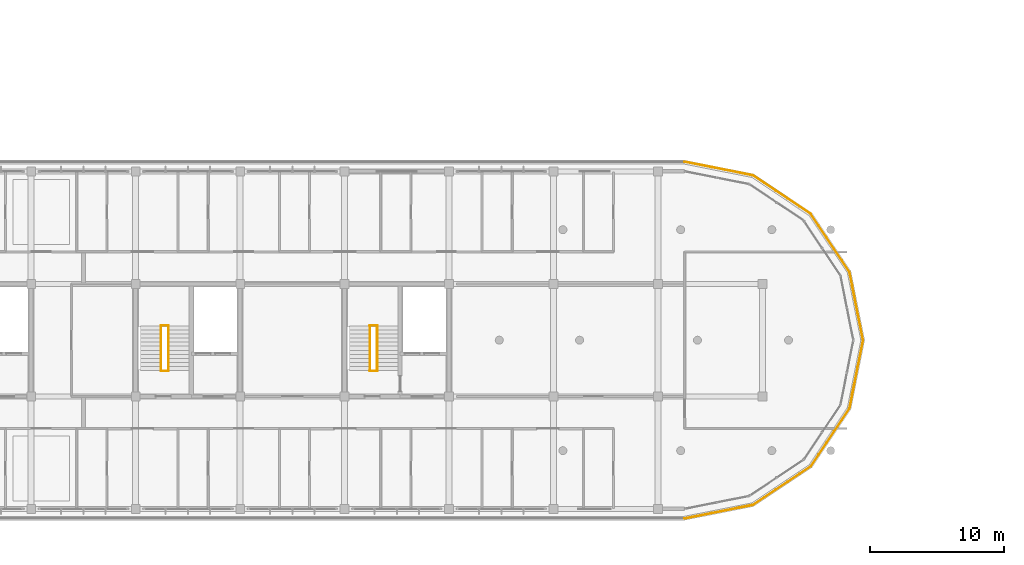
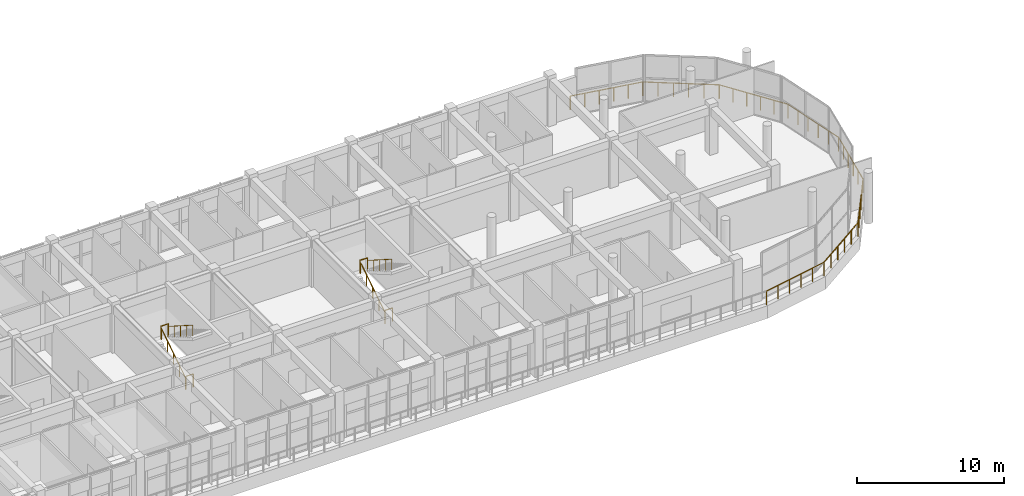
# One storey, part 61 of 63: 16 railings.
"""IFC4 building model written with IfcOpenShell, lengths in metres."""

from ifc_helpers import new_model, si_unit, direction, frame, origin, origin_2d, place, context, subcontext, project, spatial, hollow_rectangle, circle, hollow_circle, extrude, material, material_profile, profile_set, type_object, element, save


model = new_model("IFC4")

# Units and contexts
model_context = context("Model", 3, precision=1e-05, world=origin(), true_north=direction((0.0, 1.0)))
body_context = subcontext(model_context, "Body", "Model", "MODEL_VIEW")
ifc_project = project(units=[si_unit("LENGTHUNIT", "METRE"), si_unit("AREAUNIT", "SQUARE_METRE"), si_unit("VOLUMEUNIT", "CUBIC_METRE"), si_unit("PLANEANGLEUNIT", "RADIAN"), si_unit("MASSUNIT", "GRAM", prefix="KILO")], contexts=[model_context])

# Site, building, storey
site_placement = place(None, origin())
site = spatial("IfcSite", under=ifc_project, at=site_placement, CompositionType="ELEMENT")
building_placement = place(site_placement, origin())
building = spatial("IfcBuilding", under=site, at=building_placement, Name="Zizhar Promenade General Hospital", CompositionType="ELEMENT")
storey_placement = place(building_placement, frame((0.0, 0.0, 18.0)))
storey = spatial("IfcBuildingStorey", under=building, at=storey_placement, Name="L04", CompositionType="ELEMENT", Elevation=18.0)

# Railings
ifc_material_1 = material(Name="Steel S355", Category="steel")
ifc_material_profile_1 = material_profile(ifc_material_1, hollow_rectangle(XDim=0.06005859375, YDim=0.1201171875, WallThickness=0.00390625, at=origin_2d()))
ifc_profile_set_1 = profile_set([ifc_material_profile_1], Name="Steel S355")
railing_type_1 = type_object("IfcRailingType", Name="RL-GUARD-EXT-1150", PredefinedType="GUARDRAIL", material=ifc_profile_set_1)
railing_1_placement = place(storey_placement, frame((119.0, -0.719970703125, 0.0)))
element("IfcRailing", 1, at=railing_1_placement, inside=storey, type_object=railing_type_1, Name="Perimeter Safety Guardrail L04-01", PredefinedType="GUARDRAIL", context=body_context, shape_type="SweptSolid", body=[
    extrude(circle(Radius=0.02392578125, at=origin_2d()), frame((0.0, 0.0, 1.1259765625), z_axis=(0.980786101187, 0.195086195614, 0.0), x_axis=(-0.195086195614, 0.980786101187, 0.0)), (0.0, 0.0, 1.0), 5.197265625),
    extrude(circle(Radius=0.02099609375, at=origin_2d()), origin(), (0.0, 0.0, 1.0), 1.101806640625),
    extrude(circle(Radius=0.02099609375, at=origin_2d()), frame((1.01953125, 0.202880859375, 0.0)), (0.0, 0.0, 1.0), 1.101806640625),
    extrude(circle(Radius=0.02099609375, at=origin_2d()), frame((2.0390625, 0.405517578125, 0.0)), (0.0, 0.0, 1.0), 1.101806640625),
    extrude(circle(Radius=0.02099609375, at=origin_2d()), frame((3.058349609375, 0.6083984375, 0.0)), (0.0, 0.0, 1.0), 1.101806640625),
    extrude(circle(Radius=0.02099609375, at=origin_2d()), frame((4.077880859375, 0.81103515625, 0.0)), (0.0, 0.0, 1.0), 1.101806640625),
    extrude(circle(Radius=0.02099609375, at=origin_2d()), frame((5.097412109375, 1.013916015625, 0.0)), (0.0, 0.0, 1.0), 1.101806640625),
])
railing_2_placement = place(storey_placement, frame((124.097412109375, 0.2939453125, 0.0)))
element("IfcRailing", 2, at=railing_2_placement, inside=storey, type_object=railing_type_1, Name="Perimeter Safety Guardrail L04-02", PredefinedType="GUARDRAIL", context=body_context, shape_type="SweptSolid", body=[
    extrude(circle(Radius=0.02392578125, at=origin_2d()), frame((0.0, 0.0, 1.1259765625), z_axis=(0.831464445352, 0.555577965829, 0.0), x_axis=(-0.555577965829, 0.831464445352, 0.0)), (0.0, 0.0, 1.0), 5.197265625),
    extrude(circle(Radius=0.02099609375, at=origin_2d()), origin(), (0.0, 0.0, 1.0), 1.101806640625),
    extrude(circle(Radius=0.02099609375, at=origin_2d()), frame((0.8642578125, 0.577392578125, 0.0)), (0.0, 0.0, 1.0), 1.101806640625),
    extrude(circle(Radius=0.02099609375, at=origin_2d()), frame((1.728515625, 1.155029296875, 0.0)), (0.0, 0.0, 1.0), 1.101806640625),
    extrude(circle(Radius=0.02099609375, at=origin_2d()), frame((2.5927734375, 1.732421875, 0.0)), (0.0, 0.0, 1.0), 1.101806640625),
    extrude(circle(Radius=0.02099609375, at=origin_2d()), frame((3.45703125, 2.31005859375, 0.0)), (0.0, 0.0, 1.0), 1.101806640625),
    extrude(circle(Radius=0.02099609375, at=origin_2d()), frame((4.3212890625, 2.887451171875, 0.0)), (0.0, 0.0, 1.0), 1.101806640625),
])
railing_3_placement = place(storey_placement, frame((128.418701171875, 3.181396484375, 0.0)))
element("IfcRailing", 3, at=railing_3_placement, inside=storey, type_object=railing_type_1, Name="Perimeter Safety Guardrail L04-03", PredefinedType="GUARDRAIL", context=body_context, shape_type="SweptSolid", body=[
    extrude(circle(Radius=0.02392578125, at=origin_2d()), frame((0.0, 0.0, 1.1259765625), z_axis=(0.555577965829, 0.831464445352, 0.0), x_axis=(-0.831464445352, 0.555577965829, 0.0)), (0.0, 0.0, 1.0), 5.197265625),
    extrude(circle(Radius=0.02099609375, at=origin_2d()), origin(), (0.0, 0.0, 1.0), 1.101806640625),
    extrude(circle(Radius=0.02099609375, at=origin_2d()), frame((0.577392578125, 0.8642578125, 0.0)), (0.0, 0.0, 1.0), 1.101806640625),
    extrude(circle(Radius=0.02099609375, at=origin_2d()), frame((1.155029296875, 1.728515625, 0.0)), (0.0, 0.0, 1.0), 1.101806640625),
    extrude(circle(Radius=0.02099609375, at=origin_2d()), frame((1.732421875, 2.5927734375, 0.0)), (0.0, 0.0, 1.0), 1.101806640625),
    extrude(circle(Radius=0.02099609375, at=origin_2d()), frame((2.31005859375, 3.45703125, 0.0)), (0.0, 0.0, 1.0), 1.101806640625),
    extrude(circle(Radius=0.02099609375, at=origin_2d()), frame((2.887451171875, 4.3212890625, 0.0)), (0.0, 0.0, 1.0), 1.101806640625),
])
railing_4_placement = place(storey_placement, frame((131.30615234375, 7.502685546875, 0.0)))
element("IfcRailing", 4, at=railing_4_placement, inside=storey, type_object=railing_type_1, Name="Perimeter Safety Guardrail L04-04", PredefinedType="GUARDRAIL", context=body_context, shape_type="SweptSolid", body=[
    extrude(circle(Radius=0.02392578125, at=origin_2d()), frame((0.0, 0.0, 1.1259765625), z_axis=(0.195086195614, 0.980786101187, 0.0), x_axis=(-0.980786101187, 0.195086195614, 0.0)), (0.0, 0.0, 1.0), 5.197265625),
    extrude(circle(Radius=0.02099609375, at=origin_2d()), origin(), (0.0, 0.0, 1.0), 1.101806640625),
    extrude(circle(Radius=0.02099609375, at=origin_2d()), frame((0.202880859375, 1.01953125, 0.0)), (0.0, 0.0, 1.0), 1.101806640625),
    extrude(circle(Radius=0.02099609375, at=origin_2d()), frame((0.405517578125, 2.0390625, 0.0)), (0.0, 0.0, 1.0), 1.101806640625),
    extrude(circle(Radius=0.02099609375, at=origin_2d()), frame((0.6083984375, 3.058349609375, 0.0)), (0.0, 0.0, 1.0), 1.101806640625),
    extrude(circle(Radius=0.02099609375, at=origin_2d()), frame((0.81103515625, 4.077880859375, 0.0)), (0.0, 0.0, 1.0), 1.101806640625),
    extrude(circle(Radius=0.02099609375, at=origin_2d()), frame((1.013916015625, 5.097412109375, 0.0)), (0.0, 0.0, 1.0), 1.101806640625),
])
railing_5_placement = place(storey_placement, frame((132.320068359375, 12.60009765625, 0.0)))
element("IfcRailing", 5, at=railing_5_placement, inside=storey, type_object=railing_type_1, Name="Perimeter Safety Guardrail L04-05", PredefinedType="GUARDRAIL", context=body_context, shape_type="SweptSolid", body=[
    extrude(circle(Radius=0.02392578125, at=origin_2d()), frame((0.0, 0.0, 1.1259765625), z_axis=(-0.195095184069, 0.980784313268, 0.0), x_axis=(-0.980784313268, -0.195095184069, 0.0)), (0.0, 0.0, 1.0), 5.197021484375),
    extrude(circle(Radius=0.02099609375, at=origin_2d()), origin(), (0.0, 0.0, 1.0), 1.101806640625),
    extrude(circle(Radius=0.02099609375, at=origin_2d()), frame((-0.202880859375, 1.01953125, 0.0)), (0.0, 0.0, 1.0), 1.101806640625),
    extrude(circle(Radius=0.02099609375, at=origin_2d()), frame((-0.405517578125, 2.038818359375, 0.0)), (0.0, 0.0, 1.0), 1.101806640625),
    extrude(circle(Radius=0.02099609375, at=origin_2d()), frame((-0.6083984375, 3.058349609375, 0.0)), (0.0, 0.0, 1.0), 1.101806640625),
    extrude(circle(Radius=0.02099609375, at=origin_2d()), frame((-0.81103515625, 4.07763671875, 0.0)), (0.0, 0.0, 1.0), 1.101806640625),
    extrude(circle(Radius=0.02099609375, at=origin_2d()), frame((-1.013916015625, 5.09716796875, 0.0)), (0.0, 0.0, 1.0), 1.101806640625),
])
railing_6_placement = place(storey_placement, frame((131.30615234375, 17.697265625, 0.0)))
element("IfcRailing", 6, at=railing_6_placement, inside=storey, type_object=railing_type_1, Name="Perimeter Safety Guardrail L04-06", PredefinedType="GUARDRAIL", context=body_context, shape_type="SweptSolid", body=[
    extrude(circle(Radius=0.02392578125, at=origin_2d()), frame((0.0, 0.0, 1.1259765625), z_axis=(-0.555556266519, 0.83147894425, 0.0), x_axis=(-0.83147894425, -0.555556266519, 0.0)), (0.0, 0.0, 1.0), 5.197509765625),
    extrude(circle(Radius=0.02099609375, at=origin_2d()), origin(), (0.0, 0.0, 1.0), 1.101806640625),
    extrude(circle(Radius=0.02099609375, at=origin_2d()), frame((-0.577392578125, 0.8642578125, 0.0)), (0.0, 0.0, 1.0), 1.101806640625),
    extrude(circle(Radius=0.02099609375, at=origin_2d()), frame((-1.155029296875, 1.728515625, 0.0)), (0.0, 0.0, 1.0), 1.101806640625),
    extrude(circle(Radius=0.02099609375, at=origin_2d()), frame((-1.732421875, 2.593017578125, 0.0)), (0.0, 0.0, 1.0), 1.101806640625),
    extrude(circle(Radius=0.02099609375, at=origin_2d()), frame((-2.31005859375, 3.457275390625, 0.0)), (0.0, 0.0, 1.0), 1.101806640625),
    extrude(circle(Radius=0.02099609375, at=origin_2d()), frame((-2.887451171875, 4.321533203125, 0.0)), (0.0, 0.0, 1.0), 1.101806640625),
])
railing_7_placement = place(storey_placement, frame((128.418701171875, 22.018798828125, 0.0)))
element("IfcRailing", 7, at=railing_7_placement, inside=storey, type_object=railing_type_1, Name="Perimeter Safety Guardrail L04-07", PredefinedType="GUARDRAIL", context=body_context, shape_type="SweptSolid", body=[
    extrude(circle(Radius=0.02392578125, at=origin_2d()), frame((0.0, 0.0, 1.1259765625), z_axis=(-0.831486145253, 0.555545488913, 0.0), x_axis=(-0.555545488913, -0.831486145253, 0.0)), (0.0, 0.0, 1.0), 5.197021484375),
    extrude(circle(Radius=0.02099609375, at=origin_2d()), origin(), (0.0, 0.0, 1.0), 1.101806640625),
    extrude(circle(Radius=0.02099609375, at=origin_2d()), frame((-0.8642578125, 0.577392578125, 0.0)), (0.0, 0.0, 1.0), 1.101806640625),
    extrude(circle(Radius=0.02099609375, at=origin_2d()), frame((-1.728515625, 1.15478515625, 0.0)), (0.0, 0.0, 1.0), 1.101806640625),
    extrude(circle(Radius=0.02099609375, at=origin_2d()), frame((-2.5927734375, 1.732421875, 0.0)), (0.0, 0.0, 1.0), 1.101806640625),
    extrude(circle(Radius=0.02099609375, at=origin_2d()), frame((-3.45703125, 2.309814453125, 0.0)), (0.0, 0.0, 1.0), 1.101806640625),
    extrude(circle(Radius=0.02099609375, at=origin_2d()), frame((-4.3212890625, 2.88720703125, 0.0)), (0.0, 0.0, 1.0), 1.101806640625),
])
railing_8_placement = place(storey_placement, frame((124.097412109375, 24.906005859375, 0.0)))
element("IfcRailing", 8, at=railing_8_placement, inside=storey, type_object=railing_type_1, Name="Perimeter Safety Guardrail L04-08", PredefinedType="GUARDRAIL", context=body_context, shape_type="SweptSolid", body=[
    extrude(circle(Radius=0.02392578125, at=origin_2d()), frame((0.0, 0.0, 1.1259765625), z_axis=(-0.980786101187, 0.195086195614, 0.0), x_axis=(-0.195086195614, -0.980786101187, 0.0)), (0.0, 0.0, 1.0), 5.197265625),
    extrude(circle(Radius=0.02099609375, at=origin_2d()), origin(), (0.0, 0.0, 1.0), 1.101806640625),
    extrude(circle(Radius=0.02099609375, at=origin_2d()), frame((-1.01953125, 0.202880859375, 0.0)), (0.0, 0.0, 1.0), 1.101806640625),
    extrude(circle(Radius=0.02099609375, at=origin_2d()), frame((-2.0390625, 0.405517578125, 0.0)), (0.0, 0.0, 1.0), 1.101806640625),
    extrude(circle(Radius=0.02099609375, at=origin_2d()), frame((-3.058349609375, 0.6083984375, 0.0)), (0.0, 0.0, 1.0), 1.101806640625),
    extrude(circle(Radius=0.02099609375, at=origin_2d()), frame((-4.077880859375, 0.81103515625, 0.0)), (0.0, 0.0, 1.0), 1.101806640625),
    extrude(circle(Radius=0.02099609375, at=origin_2d()), frame((-5.097412109375, 1.013916015625, 0.0)), (0.0, 0.0, 1.0), 1.101806640625),
])
ifc_material_2 = material(Name="Anodised aluminium 6063-T6", Category="aluminium")
ifc_material_profile_2 = material_profile(ifc_material_2, hollow_circle(Radius=0.06982421875, WallThickness=0.00634765625, at=origin_2d()))
ifc_profile_set_2 = profile_set([ifc_material_profile_2], Name="Anodised aluminium 6063-T6")
railing_type_2 = type_object("IfcRailingType", Name="RL-HANDRAIL-920", PredefinedType="HANDRAIL", material=ifc_profile_set_2)
railing_9_placement = place(storey_placement, frame((79.89990234375, 10.35009765625, 0.0)))
element("IfcRailing", 9, at=railing_9_placement, inside=storey, type_object=railing_type_2, Name="Stair ST-04 Flight 1 Handrail (L04)", PredefinedType="HANDRAIL", context=body_context, shape_type="SweptSolid", body=[
    extrude(circle(Radius=0.02392578125, at=origin_2d()), frame((0.0, 0.0, 0.89599609375), z_axis=(0.0, 0.843635785416, 0.536915879413), x_axis=(-1.0, 0.0, 0.0)), (0.0, 0.0, 1.0), 3.911376953125),
    extrude(circle(Radius=0.02099609375, at=origin_2d()), origin(), (0.0, 0.0, 1.0), 0.871826171875),
    extrude(circle(Radius=0.02099609375, at=origin_2d()), frame((0.0, 0.824951171875, 0.52490234375)), (0.0, 0.0, 1.0), 0.871826171875),
    extrude(circle(Radius=0.02099609375, at=origin_2d()), frame((0.0, 1.64990234375, 1.050048828125)), (0.0, 0.0, 1.0), 0.871826171875),
    extrude(circle(Radius=0.02099609375, at=origin_2d()), frame((0.0, 2.474853515625, 1.5751953125)), (0.0, 0.0, 1.0), 0.871826171875),
    extrude(circle(Radius=0.02099609375, at=origin_2d()), frame((0.0, 3.2998046875, 2.10009765625)), (0.0, 0.0, 1.0), 0.871826171875),
])
railing_10_placement = place(storey_placement, frame((80.43994140625, 13.64990234375, 2.10009765625)))
element("IfcRailing", 10, at=railing_10_placement, inside=storey, type_object=railing_type_2, Name="Stair ST-04 Flight 2 Handrail (L04)", PredefinedType="HANDRAIL", context=body_context, shape_type="SweptSolid", body=[
    extrude(circle(Radius=0.02392578125, at=origin_2d()), frame((0.0, 0.0, 0.89599609375), z_axis=(0.0, -0.843664057944, 0.536871453268), x_axis=(1.0, 0.0, 0.0)), (0.0, 0.0, 1.0), 3.911376953125),
    extrude(circle(Radius=0.02099609375, at=origin_2d()), origin(), (0.0, 0.0, 1.0), 0.871826171875),
    extrude(circle(Radius=0.02099609375, at=origin_2d()), frame((0.0, -0.824951171875, 0.52490234375)), (0.0, 0.0, 1.0), 0.871826171875),
    extrude(circle(Radius=0.02099609375, at=origin_2d()), frame((0.0, -1.64990234375, 1.0498046875)), (0.0, 0.0, 1.0), 0.871826171875),
    extrude(circle(Radius=0.02099609375, at=origin_2d()), frame((0.0, -2.474853515625, 1.574951171875)), (0.0, 0.0, 1.0), 0.871826171875),
    extrude(circle(Radius=0.02099609375, at=origin_2d()), frame((0.0, -3.2998046875, 2.099853515625)), (0.0, 0.0, 1.0), 0.871826171875),
])
railing_11_placement = place(storey_placement, frame((95.5, 10.35009765625, 0.0)))
element("IfcRailing", 11, at=railing_11_placement, inside=storey, type_object=railing_type_2, Name="Stair ST-05 Flight 1 Handrail (L04)", PredefinedType="HANDRAIL", context=body_context, shape_type="SweptSolid", body=[
    extrude(circle(Radius=0.02392578125, at=origin_2d()), frame((0.0, 0.0, 0.89599609375), z_axis=(0.0, 0.843635785416, 0.536915879413), x_axis=(-1.0, 0.0, 0.0)), (0.0, 0.0, 1.0), 3.911376953125),
    extrude(circle(Radius=0.02099609375, at=origin_2d()), origin(), (0.0, 0.0, 1.0), 0.871826171875),
    extrude(circle(Radius=0.02099609375, at=origin_2d()), frame((0.0, 0.824951171875, 0.52490234375)), (0.0, 0.0, 1.0), 0.871826171875),
    extrude(circle(Radius=0.02099609375, at=origin_2d()), frame((0.0, 1.64990234375, 1.050048828125)), (0.0, 0.0, 1.0), 0.871826171875),
    extrude(circle(Radius=0.02099609375, at=origin_2d()), frame((0.0, 2.474853515625, 1.5751953125)), (0.0, 0.0, 1.0), 0.871826171875),
    extrude(circle(Radius=0.02099609375, at=origin_2d()), frame((0.0, 3.2998046875, 2.10009765625)), (0.0, 0.0, 1.0), 0.871826171875),
])
railing_12_placement = place(storey_placement, frame((96.0400390625, 13.64990234375, 2.10009765625)))
element("IfcRailing", 12, at=railing_12_placement, inside=storey, type_object=railing_type_2, Name="Stair ST-05 Flight 2 Handrail (L04)", PredefinedType="HANDRAIL", context=body_context, shape_type="SweptSolid", body=[
    extrude(circle(Radius=0.02392578125, at=origin_2d()), frame((0.0, 0.0, 0.89599609375), z_axis=(0.0, -0.843664057944, 0.536871453268), x_axis=(1.0, 0.0, 0.0)), (0.0, 0.0, 1.0), 3.911376953125),
    extrude(circle(Radius=0.02099609375, at=origin_2d()), origin(), (0.0, 0.0, 1.0), 0.871826171875),
    extrude(circle(Radius=0.02099609375, at=origin_2d()), frame((0.0, -0.824951171875, 0.52490234375)), (0.0, 0.0, 1.0), 0.871826171875),
    extrude(circle(Radius=0.02099609375, at=origin_2d()), frame((0.0, -1.64990234375, 1.0498046875)), (0.0, 0.0, 1.0), 0.871826171875),
    extrude(circle(Radius=0.02099609375, at=origin_2d()), frame((0.0, -2.474853515625, 1.574951171875)), (0.0, 0.0, 1.0), 0.871826171875),
    extrude(circle(Radius=0.02099609375, at=origin_2d()), frame((0.0, -3.2998046875, 2.099853515625)), (0.0, 0.0, 1.0), 0.871826171875),
])
ifc_material_3 = material(Name="Steel S355", Category="steel")
ifc_material_profile_3 = material_profile(ifc_material_3, hollow_circle(Radius=0.06982421875, WallThickness=0.00634765625, at=origin_2d()))
ifc_profile_set_3 = profile_set([ifc_material_profile_3], Name="Steel S355")
railing_type_3 = type_object("IfcRailingType", Name="RL-STAIR-GUARD-1100", PredefinedType="GUARDRAIL", material=ifc_profile_set_3)
for number, where, name in (
    (13, (79.8798828125, 13.68994140625, 2.10009765625), "Stair ST-04 Half-Landing Guard (L04)"),
    (14, (79.8798828125, 10.31005859375, 0.0), "Stair ST-04 Landing Well Guard (L04)"),
    (15, (95.47998046875, 13.68994140625, 2.10009765625), "Stair ST-05 Half-Landing Guard (L04)"),
    (16, (95.47998046875, 10.31005859375, 0.0), "Stair ST-05 Landing Well Guard (L04)"),
):
    element("IfcRailing", number, at=place(storey_placement, frame(where)), inside=storey, type_object=railing_type_3, Name=name, PredefinedType="GUARDRAIL", context=body_context, shape_type="SweptSolid", body=[
        extrude(circle(Radius=0.02392578125, at=origin_2d()), frame((0.0, 0.0, 1.076171875), z_axis=(1.0, 0.0, 0.0), x_axis=(0.0, 1.0, 0.0)), (0.0, 0.0, 1.0), 0.580078125),
        extrude(circle(Radius=0.02099609375, at=origin_2d()), origin(), (0.0, 0.0, 1.0), 1.052001953125),
        extrude(circle(Radius=0.02099609375, at=origin_2d()), frame((0.580078125, 0.0, 0.0)), (0.0, 0.0, 1.0), 1.052001953125),
    ])

save(model, "model.ifc")
